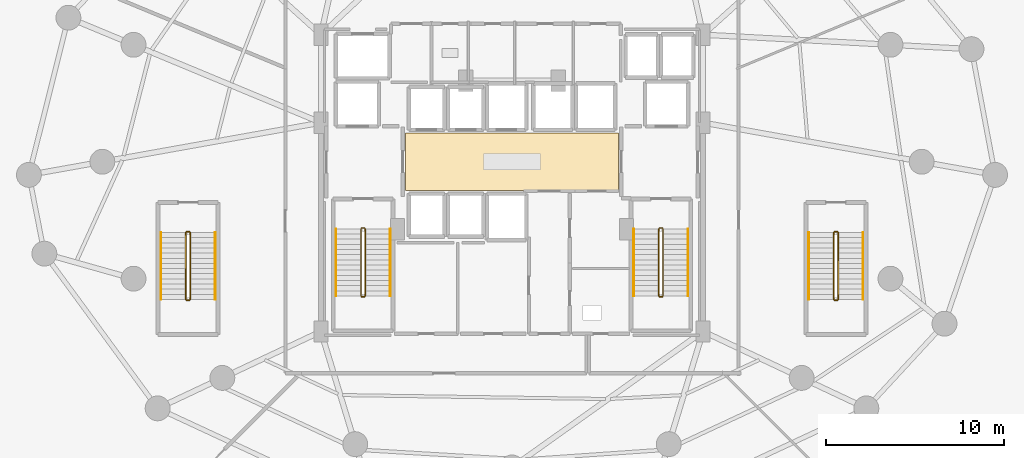
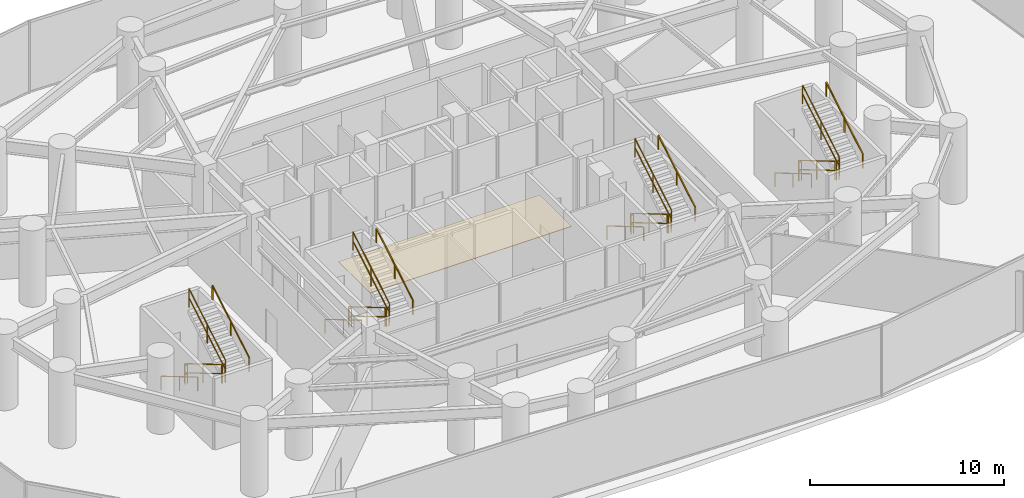
# One storey, part 25 of 26: 24 railings, 1 covering.
"""IFC4 building model written with IfcOpenShell, lengths in metres."""

from ifc_helpers import new_model, si_unit, direction, frame, origin, origin_2d, place, context, subcontext, project, spatial, polyline, rectangle, outline, extrude, material, layer, layer_set, type_object, element, save


model = new_model("IFC4")

# Units and contexts
model_context = context("Model", 3, precision=1e-05, world=origin(), true_north=direction((0.0, 1.0)))
body_context = subcontext(model_context, "Body", "Model", "MODEL_VIEW")
ifc_project = project(units=[si_unit("LENGTHUNIT", "METRE"), si_unit("AREAUNIT", "SQUARE_METRE"), si_unit("VOLUMEUNIT", "CUBIC_METRE"), si_unit("PLANEANGLEUNIT", "RADIAN"), si_unit("MASSUNIT", "GRAM", prefix="KILO")], contexts=[model_context])

# Site, building, storey
site_placement = place(None, origin())
site = spatial("IfcSite", under=ifc_project, at=site_placement, CompositionType="ELEMENT")
building_placement = place(site_placement, origin())
building = spatial("IfcBuilding", under=site, at=building_placement, Name="Vorneva Point Tower", CompositionType="ELEMENT")
storey_placement = place(building_placement, frame((0.0, 0.0, 14.39990234375)))
storey = spatial("IfcBuildingStorey", under=building, at=storey_placement, Name="L03", CompositionType="ELEMENT", Elevation=14.39990234375)

# Covering
ifc_material_1 = material(Name="Polished Ural granite terrazzo", Category="masonry")
ifc_layer = layer(ifc_material_1, 0.02490234375)
ifc_layer_set = layer_set([ifc_layer], Name="Polished Ural granite terrazzo")
covering_type = type_object("IfcCoveringType", Name="COV-FLR-TRZ", PredefinedType="FLOORING", material=ifc_layer_set)
covering_placement = place(storey_placement, frame((0.0, 0.0, -0.0048828125)))
element("IfcCovering", 1, at=covering_placement, inside=storey, type_object=covering_type, Name="L03 Lift Lobby Floor Finish", PredefinedType="FLOORING", context=body_context, shape_type="SweptSolid", body=[
    extrude(outline(polyline([(32.02001953125, 24.3701171875), (43.97998046875, 24.3701171875), (43.97998046875, 27.6298828125), (32.02001953125, 27.6298828125), (32.02001953125, 24.3701171875)])), origin(), (0.0, 0.0, 1.0), 0.030029296875),
])

# Railings
ifc_material_2 = material(Name="Brushed stainless steel S304", Category="steel")
railing_type_1 = type_object("IfcRailingType", Name="RL-HND-920", PredefinedType="HANDRAIL", material=ifc_material_2)
railing_1_placement = place(storey_placement, frame((28.10009765625, 22.219970703125, 0.171630859375)))
element("IfcRailing", 2, at=railing_1_placement, inside=storey, type_object=railing_type_1, Name="L03 ST1 stair handrail 1", PredefinedType="HANDRAIL", context=body_context, shape_type="SweptSolid", body=[
    extrude(rectangle(XDim=0.048095703125, YDim=0.048095703125, at=origin_2d()), frame((0.0, 0.0, 0.8759765625), z_axis=(0.0, -0.860848830602, 0.508860777473), x_axis=(1.0, 0.0, 0.0)), (0.0, 0.0, 1.0), 4.37939453125),
    extrude(rectangle(XDim=0.0419921875, YDim=0.0419921875, at=origin_2d()), origin(), (0.0, 0.0, 1.0), 0.851806640625),
    extrude(rectangle(XDim=0.0419921875, YDim=0.0419921875, at=origin_2d()), frame((0.0, -1.885009765625, 1.1142578125)), (0.0, 0.0, 1.0), 0.851806640625),
    extrude(rectangle(XDim=0.0419921875, YDim=0.0419921875, at=origin_2d()), frame((0.0, -3.77001953125, 2.228515625)), (0.0, 0.0, 1.0), 0.851806640625),
])
railing_2_placement = place(storey_placement, frame((31.14990234375, 18.449951171875, 2.571533203125)))
element("IfcRailing", 3, at=railing_2_placement, inside=storey, type_object=railing_type_1, Name="L03 ST1 stair handrail 2", PredefinedType="HANDRAIL", context=body_context, shape_type="SweptSolid", body=[
    extrude(rectangle(XDim=0.048095703125, YDim=0.048095703125, at=origin_2d()), frame((0.0, 0.0, 0.8759765625), z_axis=(0.0, 0.860848830602, 0.508860777473), x_axis=(-1.0, 0.0, 0.0)), (0.0, 0.0, 1.0), 4.37939453125),
    extrude(rectangle(XDim=0.0419921875, YDim=0.0419921875, at=origin_2d()), origin(), (0.0, 0.0, 1.0), 0.851806640625),
    extrude(rectangle(XDim=0.0419921875, YDim=0.0419921875, at=origin_2d()), frame((0.0, 1.885009765625, 1.1142578125)), (0.0, 0.0, 1.0), 0.851806640625),
    extrude(rectangle(XDim=0.0419921875, YDim=0.0419921875, at=origin_2d()), frame((0.0, 3.77001953125, 2.228515625)), (0.0, 0.0, 1.0), 0.851806640625),
])
railing_3_placement = place(storey_placement, frame((44.85009765625, 22.219970703125, 0.171630859375)))
element("IfcRailing", 4, at=railing_3_placement, inside=storey, type_object=railing_type_1, Name="L03 ST2 stair handrail 1", PredefinedType="HANDRAIL", context=body_context, shape_type="SweptSolid", body=[
    extrude(rectangle(XDim=0.048095703125, YDim=0.048095703125, at=origin_2d()), frame((0.0, 0.0, 0.8759765625), z_axis=(0.0, -0.860848830602, 0.508860777473), x_axis=(1.0, 0.0, 0.0)), (0.0, 0.0, 1.0), 4.37939453125),
    extrude(rectangle(XDim=0.0419921875, YDim=0.0419921875, at=origin_2d()), origin(), (0.0, 0.0, 1.0), 0.851806640625),
    extrude(rectangle(XDim=0.0419921875, YDim=0.0419921875, at=origin_2d()), frame((0.0, -1.885009765625, 1.1142578125)), (0.0, 0.0, 1.0), 0.851806640625),
    extrude(rectangle(XDim=0.0419921875, YDim=0.0419921875, at=origin_2d()), frame((0.0, -3.77001953125, 2.228515625)), (0.0, 0.0, 1.0), 0.851806640625),
])
railing_4_placement = place(storey_placement, frame((47.89990234375, 18.449951171875, 2.571533203125)))
element("IfcRailing", 5, at=railing_4_placement, inside=storey, type_object=railing_type_1, Name="L03 ST2 stair handrail 2", PredefinedType="HANDRAIL", context=body_context, shape_type="SweptSolid", body=[
    extrude(rectangle(XDim=0.048095703125, YDim=0.048095703125, at=origin_2d()), frame((0.0, 0.0, 0.8759765625), z_axis=(0.0, 0.860848830602, 0.508860777473), x_axis=(-1.0, 0.0, 0.0)), (0.0, 0.0, 1.0), 4.37939453125),
    extrude(rectangle(XDim=0.0419921875, YDim=0.0419921875, at=origin_2d()), origin(), (0.0, 0.0, 1.0), 0.851806640625),
    extrude(rectangle(XDim=0.0419921875, YDim=0.0419921875, at=origin_2d()), frame((0.0, 1.885009765625, 1.1142578125)), (0.0, 0.0, 1.0), 0.851806640625),
    extrude(rectangle(XDim=0.0419921875, YDim=0.0419921875, at=origin_2d()), frame((0.0, 3.77001953125, 2.228515625)), (0.0, 0.0, 1.0), 0.851806640625),
])
railing_5_placement = place(storey_placement, frame((18.25, 22.02001953125, 0.171630859375)))
element("IfcRailing", 6, at=railing_5_placement, inside=storey, type_object=railing_type_1, Name="L03 ST3 stair handrail 1", PredefinedType="HANDRAIL", context=body_context, shape_type="SweptSolid", body=[
    extrude(rectangle(XDim=0.048095703125, YDim=0.048095703125, at=origin_2d()), frame((0.0, 0.0, 0.8759765625), z_axis=(0.0, -0.860848830602, 0.508860777473), x_axis=(1.0, 0.0, 0.0)), (0.0, 0.0, 1.0), 4.37939453125),
    extrude(rectangle(XDim=0.0419921875, YDim=0.0419921875, at=origin_2d()), origin(), (0.0, 0.0, 1.0), 0.851806640625),
    extrude(rectangle(XDim=0.0419921875, YDim=0.0419921875, at=origin_2d()), frame((0.0, -1.885009765625, 1.1142578125)), (0.0, 0.0, 1.0), 0.851806640625),
    extrude(rectangle(XDim=0.0419921875, YDim=0.0419921875, at=origin_2d()), frame((0.0, -3.77001953125, 2.228515625)), (0.0, 0.0, 1.0), 0.851806640625),
])
railing_6_placement = place(storey_placement, frame((21.300048828125, 18.25, 2.571533203125)))
element("IfcRailing", 7, at=railing_6_placement, inside=storey, type_object=railing_type_1, Name="L03 ST3 stair handrail 2", PredefinedType="HANDRAIL", context=body_context, shape_type="SweptSolid", body=[
    extrude(rectangle(XDim=0.048095703125, YDim=0.048095703125, at=origin_2d()), frame((0.0, 0.0, 0.8759765625), z_axis=(0.0, 0.860848830602, 0.508860777473), x_axis=(-1.0, 0.0, 0.0)), (0.0, 0.0, 1.0), 4.37939453125),
    extrude(rectangle(XDim=0.0419921875, YDim=0.0419921875, at=origin_2d()), origin(), (0.0, 0.0, 1.0), 0.851806640625),
    extrude(rectangle(XDim=0.0419921875, YDim=0.0419921875, at=origin_2d()), frame((0.0, 1.885009765625, 1.1142578125)), (0.0, 0.0, 1.0), 0.851806640625),
    extrude(rectangle(XDim=0.0419921875, YDim=0.0419921875, at=origin_2d()), frame((0.0, 3.77001953125, 2.228515625)), (0.0, 0.0, 1.0), 0.851806640625),
])
railing_7_placement = place(storey_placement, frame((54.699951171875, 22.02001953125, 0.171630859375)))
element("IfcRailing", 8, at=railing_7_placement, inside=storey, type_object=railing_type_1, Name="L03 ST4 stair handrail 1", PredefinedType="HANDRAIL", context=body_context, shape_type="SweptSolid", body=[
    extrude(rectangle(XDim=0.048095703125, YDim=0.048095703125, at=origin_2d()), frame((0.0, 0.0, 0.8759765625), z_axis=(0.0, -0.860848830602, 0.508860777473), x_axis=(1.0, 0.0, 0.0)), (0.0, 0.0, 1.0), 4.37939453125),
    extrude(rectangle(XDim=0.0419921875, YDim=0.0419921875, at=origin_2d()), origin(), (0.0, 0.0, 1.0), 0.851806640625),
    extrude(rectangle(XDim=0.0419921875, YDim=0.0419921875, at=origin_2d()), frame((0.0, -1.885009765625, 1.1142578125)), (0.0, 0.0, 1.0), 0.851806640625),
    extrude(rectangle(XDim=0.0419921875, YDim=0.0419921875, at=origin_2d()), frame((0.0, -3.77001953125, 2.228515625)), (0.0, 0.0, 1.0), 0.851806640625),
])
railing_8_placement = place(storey_placement, frame((57.75, 18.25, 2.571533203125)))
element("IfcRailing", 9, at=railing_8_placement, inside=storey, type_object=railing_type_1, Name="L03 ST4 stair handrail 2", PredefinedType="HANDRAIL", context=body_context, shape_type="SweptSolid", body=[
    extrude(rectangle(XDim=0.048095703125, YDim=0.048095703125, at=origin_2d()), frame((0.0, 0.0, 0.8759765625), z_axis=(0.0, 0.860848830602, 0.508860777473), x_axis=(-1.0, 0.0, 0.0)), (0.0, 0.0, 1.0), 4.37939453125),
    extrude(rectangle(XDim=0.0419921875, YDim=0.0419921875, at=origin_2d()), origin(), (0.0, 0.0, 1.0), 0.851806640625),
    extrude(rectangle(XDim=0.0419921875, YDim=0.0419921875, at=origin_2d()), frame((0.0, 1.885009765625, 1.1142578125)), (0.0, 0.0, 1.0), 0.851806640625),
    extrude(rectangle(XDim=0.0419921875, YDim=0.0419921875, at=origin_2d()), frame((0.0, 3.77001953125, 2.228515625)), (0.0, 0.0, 1.0), 0.851806640625),
])
railing_type_2 = type_object("IfcRailingType", Name="RL-STG-1100", PredefinedType="GUARDRAIL", material=ifc_material_2)
railing_9_placement = place(storey_placement, frame((29.5, 22.219970703125, 0.171630859375)))
element("IfcRailing", 10, at=railing_9_placement, inside=storey, type_object=railing_type_2, Name="L03 ST1 stair guard 1", PredefinedType="GUARDRAIL", context=body_context, shape_type="SweptSolid", body=[
    extrude(rectangle(XDim=0.048095703125, YDim=0.048095703125, at=origin_2d()), frame((0.0, 0.0, 1.17578125), z_axis=(0.0, -0.860848830602, 0.508860777473), x_axis=(1.0, 0.0, 0.0)), (0.0, 0.0, 1.0), 4.37939453125),
    extrude(rectangle(XDim=0.048095703125, YDim=0.048095703125, at=origin_2d()), frame((0.0, 0.0, 0.60009765625), z_axis=(0.0, -0.860848830602, 0.508860777473), x_axis=(1.0, 0.0, 0.0)), (0.0, 0.0, 1.0), 4.37939453125),
    extrude(rectangle(XDim=0.0419921875, YDim=0.0419921875, at=origin_2d()), origin(), (0.0, 0.0, 1.0), 1.15185546875),
    extrude(rectangle(XDim=0.0419921875, YDim=0.0419921875, at=origin_2d()), frame((0.0, -1.885009765625, 1.1142578125)), (0.0, 0.0, 1.0), 1.15185546875),
    extrude(rectangle(XDim=0.0419921875, YDim=0.0419921875, at=origin_2d()), frame((0.0, -3.77001953125, 2.228515625)), (0.0, 0.0, 1.0), 1.15185546875),
])
railing_10_placement = place(storey_placement, frame((29.550048828125, 18.39990234375, 2.400146484375)))
element("IfcRailing", 11, at=railing_10_placement, inside=storey, type_object=railing_type_2, Name="L03 ST1 stair guard 2", PredefinedType="GUARDRAIL", context=body_context, shape_type="SweptSolid", body=[
    extrude(rectangle(XDim=0.048095703125, YDim=0.048095703125, at=origin_2d()), frame((0.0, 0.0, 1.17578125), z_axis=(1.0, 0.0, 0.0), x_axis=(0.0, 1.0, 0.0)), (0.0, 0.0, 1.0), 0.14990234375),
    extrude(rectangle(XDim=0.048095703125, YDim=0.048095703125, at=origin_2d()), frame((0.0, 0.0, 0.60009765625), z_axis=(1.0, 0.0, 0.0), x_axis=(0.0, 1.0, 0.0)), (0.0, 0.0, 1.0), 0.14990234375),
    extrude(rectangle(XDim=0.0419921875, YDim=0.0419921875, at=origin_2d()), origin(), (0.0, 0.0, 1.0), 1.15185546875),
    extrude(rectangle(XDim=0.0419921875, YDim=0.0419921875, at=origin_2d()), frame((0.14990234375, 0.0, 0.0)), (0.0, 0.0, 1.0), 1.15185546875),
])
railing_11_placement = place(storey_placement, frame((29.75, 18.449951171875, 2.571533203125)))
element("IfcRailing", 12, at=railing_11_placement, inside=storey, type_object=railing_type_2, Name="L03 ST1 stair guard 3", PredefinedType="GUARDRAIL", context=body_context, shape_type="SweptSolid", body=[
    extrude(rectangle(XDim=0.048095703125, YDim=0.048095703125, at=origin_2d()), frame((0.0, 0.0, 1.17578125), z_axis=(0.0, 0.860848830602, 0.508860777473), x_axis=(-1.0, 0.0, 0.0)), (0.0, 0.0, 1.0), 4.37939453125),
    extrude(rectangle(XDim=0.048095703125, YDim=0.048095703125, at=origin_2d()), frame((0.0, 0.0, 0.60009765625), z_axis=(0.0, 0.860848830602, 0.508860777473), x_axis=(-1.0, 0.0, 0.0)), (0.0, 0.0, 1.0), 4.37939453125),
    extrude(rectangle(XDim=0.0419921875, YDim=0.0419921875, at=origin_2d()), origin(), (0.0, 0.0, 1.0), 1.15185546875),
    extrude(rectangle(XDim=0.0419921875, YDim=0.0419921875, at=origin_2d()), frame((0.0, 1.885009765625, 1.1142578125)), (0.0, 0.0, 1.0), 1.15185546875),
    extrude(rectangle(XDim=0.0419921875, YDim=0.0419921875, at=origin_2d()), frame((0.0, 3.77001953125, 2.228515625)), (0.0, 0.0, 1.0), 1.15185546875),
])
railing_12_placement = place(storey_placement, frame((29.550048828125, 22.27001953125, 0.0)))
element("IfcRailing", 13, at=railing_12_placement, inside=storey, type_object=railing_type_2, Name="L03 ST1 stair guard 4", PredefinedType="GUARDRAIL", context=body_context, shape_type="SweptSolid", body=[
    extrude(rectangle(XDim=0.048095703125, YDim=0.048095703125, at=origin_2d()), frame((0.0, 0.0, 1.17578125), z_axis=(1.0, 0.0, 0.0), x_axis=(0.0, 1.0, 0.0)), (0.0, 0.0, 1.0), 0.14990234375),
    extrude(rectangle(XDim=0.048095703125, YDim=0.048095703125, at=origin_2d()), frame((0.0, 0.0, 0.60009765625), z_axis=(1.0, 0.0, 0.0), x_axis=(0.0, 1.0, 0.0)), (0.0, 0.0, 1.0), 0.14990234375),
    extrude(rectangle(XDim=0.0419921875, YDim=0.0419921875, at=origin_2d()), origin(), (0.0, 0.0, 1.0), 1.15185546875),
    extrude(rectangle(XDim=0.0419921875, YDim=0.0419921875, at=origin_2d()), frame((0.14990234375, 0.0, 0.0)), (0.0, 0.0, 1.0), 1.15185546875),
])
railing_13_placement = place(storey_placement, frame((46.25, 22.219970703125, 0.171630859375)))
element("IfcRailing", 14, at=railing_13_placement, inside=storey, type_object=railing_type_2, Name="L03 ST2 stair guard 1", PredefinedType="GUARDRAIL", context=body_context, shape_type="SweptSolid", body=[
    extrude(rectangle(XDim=0.048095703125, YDim=0.048095703125, at=origin_2d()), frame((0.0, 0.0, 1.17578125), z_axis=(0.0, -0.860848830602, 0.508860777473), x_axis=(1.0, 0.0, 0.0)), (0.0, 0.0, 1.0), 4.37939453125),
    extrude(rectangle(XDim=0.048095703125, YDim=0.048095703125, at=origin_2d()), frame((0.0, 0.0, 0.60009765625), z_axis=(0.0, -0.860848830602, 0.508860777473), x_axis=(1.0, 0.0, 0.0)), (0.0, 0.0, 1.0), 4.37939453125),
    extrude(rectangle(XDim=0.0419921875, YDim=0.0419921875, at=origin_2d()), origin(), (0.0, 0.0, 1.0), 1.15185546875),
    extrude(rectangle(XDim=0.0419921875, YDim=0.0419921875, at=origin_2d()), frame((0.0, -1.885009765625, 1.1142578125)), (0.0, 0.0, 1.0), 1.15185546875),
    extrude(rectangle(XDim=0.0419921875, YDim=0.0419921875, at=origin_2d()), frame((0.0, -3.77001953125, 2.228515625)), (0.0, 0.0, 1.0), 1.15185546875),
])
railing_14_placement = place(storey_placement, frame((46.300048828125, 18.39990234375, 2.400146484375)))
element("IfcRailing", 15, at=railing_14_placement, inside=storey, type_object=railing_type_2, Name="L03 ST2 stair guard 2", PredefinedType="GUARDRAIL", context=body_context, shape_type="SweptSolid", body=[
    extrude(rectangle(XDim=0.048095703125, YDim=0.048095703125, at=origin_2d()), frame((0.0, 0.0, 1.17578125), z_axis=(1.0, 0.0, 0.0), x_axis=(0.0, 1.0, 0.0)), (0.0, 0.0, 1.0), 0.14990234375),
    extrude(rectangle(XDim=0.048095703125, YDim=0.048095703125, at=origin_2d()), frame((0.0, 0.0, 0.60009765625), z_axis=(1.0, 0.0, 0.0), x_axis=(0.0, 1.0, 0.0)), (0.0, 0.0, 1.0), 0.14990234375),
    extrude(rectangle(XDim=0.0419921875, YDim=0.0419921875, at=origin_2d()), origin(), (0.0, 0.0, 1.0), 1.15185546875),
    extrude(rectangle(XDim=0.0419921875, YDim=0.0419921875, at=origin_2d()), frame((0.14990234375, 0.0, 0.0)), (0.0, 0.0, 1.0), 1.15185546875),
])
railing_15_placement = place(storey_placement, frame((46.5, 18.449951171875, 2.571533203125)))
element("IfcRailing", 16, at=railing_15_placement, inside=storey, type_object=railing_type_2, Name="L03 ST2 stair guard 3", PredefinedType="GUARDRAIL", context=body_context, shape_type="SweptSolid", body=[
    extrude(rectangle(XDim=0.048095703125, YDim=0.048095703125, at=origin_2d()), frame((0.0, 0.0, 1.17578125), z_axis=(0.0, 0.860848830602, 0.508860777473), x_axis=(-1.0, 0.0, 0.0)), (0.0, 0.0, 1.0), 4.37939453125),
    extrude(rectangle(XDim=0.048095703125, YDim=0.048095703125, at=origin_2d()), frame((0.0, 0.0, 0.60009765625), z_axis=(0.0, 0.860848830602, 0.508860777473), x_axis=(-1.0, 0.0, 0.0)), (0.0, 0.0, 1.0), 4.37939453125),
    extrude(rectangle(XDim=0.0419921875, YDim=0.0419921875, at=origin_2d()), origin(), (0.0, 0.0, 1.0), 1.15185546875),
    extrude(rectangle(XDim=0.0419921875, YDim=0.0419921875, at=origin_2d()), frame((0.0, 1.885009765625, 1.1142578125)), (0.0, 0.0, 1.0), 1.15185546875),
    extrude(rectangle(XDim=0.0419921875, YDim=0.0419921875, at=origin_2d()), frame((0.0, 3.77001953125, 2.228515625)), (0.0, 0.0, 1.0), 1.15185546875),
])
railing_16_placement = place(storey_placement, frame((46.300048828125, 22.27001953125, 0.0)))
element("IfcRailing", 17, at=railing_16_placement, inside=storey, type_object=railing_type_2, Name="L03 ST2 stair guard 4", PredefinedType="GUARDRAIL", context=body_context, shape_type="SweptSolid", body=[
    extrude(rectangle(XDim=0.048095703125, YDim=0.048095703125, at=origin_2d()), frame((0.0, 0.0, 1.17578125), z_axis=(1.0, 0.0, 0.0), x_axis=(0.0, 1.0, 0.0)), (0.0, 0.0, 1.0), 0.14990234375),
    extrude(rectangle(XDim=0.048095703125, YDim=0.048095703125, at=origin_2d()), frame((0.0, 0.0, 0.60009765625), z_axis=(1.0, 0.0, 0.0), x_axis=(0.0, 1.0, 0.0)), (0.0, 0.0, 1.0), 0.14990234375),
    extrude(rectangle(XDim=0.0419921875, YDim=0.0419921875, at=origin_2d()), origin(), (0.0, 0.0, 1.0), 1.15185546875),
    extrude(rectangle(XDim=0.0419921875, YDim=0.0419921875, at=origin_2d()), frame((0.14990234375, 0.0, 0.0)), (0.0, 0.0, 1.0), 1.15185546875),
])
railing_17_placement = place(storey_placement, frame((19.64990234375, 22.02001953125, 0.171630859375)))
element("IfcRailing", 18, at=railing_17_placement, inside=storey, type_object=railing_type_2, Name="L03 ST3 stair guard 1", PredefinedType="GUARDRAIL", context=body_context, shape_type="SweptSolid", body=[
    extrude(rectangle(XDim=0.048095703125, YDim=0.048095703125, at=origin_2d()), frame((0.0, 0.0, 1.17578125), z_axis=(0.0, -0.860848830602, 0.508860777473), x_axis=(1.0, 0.0, 0.0)), (0.0, 0.0, 1.0), 4.37939453125),
    extrude(rectangle(XDim=0.048095703125, YDim=0.048095703125, at=origin_2d()), frame((0.0, 0.0, 0.60009765625), z_axis=(0.0, -0.860848830602, 0.508860777473), x_axis=(1.0, 0.0, 0.0)), (0.0, 0.0, 1.0), 4.37939453125),
    extrude(rectangle(XDim=0.0419921875, YDim=0.0419921875, at=origin_2d()), origin(), (0.0, 0.0, 1.0), 1.15185546875),
    extrude(rectangle(XDim=0.0419921875, YDim=0.0419921875, at=origin_2d()), frame((0.0, -1.885009765625, 1.1142578125)), (0.0, 0.0, 1.0), 1.15185546875),
    extrude(rectangle(XDim=0.0419921875, YDim=0.0419921875, at=origin_2d()), frame((0.0, -3.77001953125, 2.228515625)), (0.0, 0.0, 1.0), 1.15185546875),
])
railing_18_placement = place(storey_placement, frame((19.699951171875, 18.199951171875, 2.400146484375)))
element("IfcRailing", 19, at=railing_18_placement, inside=storey, type_object=railing_type_2, Name="L03 ST3 stair guard 2", PredefinedType="GUARDRAIL", context=body_context, shape_type="SweptSolid", body=[
    extrude(rectangle(XDim=0.048095703125, YDim=0.048095703125, at=origin_2d()), frame((0.0, 0.0, 1.17578125), z_axis=(1.0, 0.0, 0.0), x_axis=(0.0, 1.0, 0.0)), (0.0, 0.0, 1.0), 0.150146484375),
    extrude(rectangle(XDim=0.048095703125, YDim=0.048095703125, at=origin_2d()), frame((0.0, 0.0, 0.60009765625), z_axis=(1.0, 0.0, 0.0), x_axis=(0.0, 1.0, 0.0)), (0.0, 0.0, 1.0), 0.150146484375),
    extrude(rectangle(XDim=0.0419921875, YDim=0.0419921875, at=origin_2d()), origin(), (0.0, 0.0, 1.0), 1.15185546875),
    extrude(rectangle(XDim=0.0419921875, YDim=0.0419921875, at=origin_2d()), frame((0.150146484375, 0.0, 0.0)), (0.0, 0.0, 1.0), 1.15185546875),
])
railing_19_placement = place(storey_placement, frame((19.89990234375, 18.25, 2.571533203125)))
element("IfcRailing", 20, at=railing_19_placement, inside=storey, type_object=railing_type_2, Name="L03 ST3 stair guard 3", PredefinedType="GUARDRAIL", context=body_context, shape_type="SweptSolid", body=[
    extrude(rectangle(XDim=0.048095703125, YDim=0.048095703125, at=origin_2d()), frame((0.0, 0.0, 1.17578125), z_axis=(0.0, 0.860848830602, 0.508860777473), x_axis=(-1.0, 0.0, 0.0)), (0.0, 0.0, 1.0), 4.37939453125),
    extrude(rectangle(XDim=0.048095703125, YDim=0.048095703125, at=origin_2d()), frame((0.0, 0.0, 0.60009765625), z_axis=(0.0, 0.860848830602, 0.508860777473), x_axis=(-1.0, 0.0, 0.0)), (0.0, 0.0, 1.0), 4.37939453125),
    extrude(rectangle(XDim=0.0419921875, YDim=0.0419921875, at=origin_2d()), origin(), (0.0, 0.0, 1.0), 1.15185546875),
    extrude(rectangle(XDim=0.0419921875, YDim=0.0419921875, at=origin_2d()), frame((0.0, 1.885009765625, 1.1142578125)), (0.0, 0.0, 1.0), 1.15185546875),
    extrude(rectangle(XDim=0.0419921875, YDim=0.0419921875, at=origin_2d()), frame((0.0, 3.77001953125, 2.228515625)), (0.0, 0.0, 1.0), 1.15185546875),
])
railing_20_placement = place(storey_placement, frame((19.699951171875, 22.070068359375, 0.0)))
element("IfcRailing", 21, at=railing_20_placement, inside=storey, type_object=railing_type_2, Name="L03 ST3 stair guard 4", PredefinedType="GUARDRAIL", context=body_context, shape_type="SweptSolid", body=[
    extrude(rectangle(XDim=0.048095703125, YDim=0.048095703125, at=origin_2d()), frame((0.0, 0.0, 1.17578125), z_axis=(1.0, 0.0, 0.0), x_axis=(0.0, 1.0, 0.0)), (0.0, 0.0, 1.0), 0.150146484375),
    extrude(rectangle(XDim=0.048095703125, YDim=0.048095703125, at=origin_2d()), frame((0.0, 0.0, 0.60009765625), z_axis=(1.0, 0.0, 0.0), x_axis=(0.0, 1.0, 0.0)), (0.0, 0.0, 1.0), 0.150146484375),
    extrude(rectangle(XDim=0.0419921875, YDim=0.0419921875, at=origin_2d()), origin(), (0.0, 0.0, 1.0), 1.15185546875),
    extrude(rectangle(XDim=0.0419921875, YDim=0.0419921875, at=origin_2d()), frame((0.150146484375, 0.0, 0.0)), (0.0, 0.0, 1.0), 1.15185546875),
])
railing_21_placement = place(storey_placement, frame((56.10009765625, 22.02001953125, 0.171630859375)))
element("IfcRailing", 22, at=railing_21_placement, inside=storey, type_object=railing_type_2, Name="L03 ST4 stair guard 1", PredefinedType="GUARDRAIL", context=body_context, shape_type="SweptSolid", body=[
    extrude(rectangle(XDim=0.048095703125, YDim=0.048095703125, at=origin_2d()), frame((0.0, 0.0, 1.17578125), z_axis=(0.0, -0.860848830602, 0.508860777473), x_axis=(1.0, 0.0, 0.0)), (0.0, 0.0, 1.0), 4.37939453125),
    extrude(rectangle(XDim=0.048095703125, YDim=0.048095703125, at=origin_2d()), frame((0.0, 0.0, 0.60009765625), z_axis=(0.0, -0.860848830602, 0.508860777473), x_axis=(1.0, 0.0, 0.0)), (0.0, 0.0, 1.0), 4.37939453125),
    extrude(rectangle(XDim=0.0419921875, YDim=0.0419921875, at=origin_2d()), origin(), (0.0, 0.0, 1.0), 1.15185546875),
    extrude(rectangle(XDim=0.0419921875, YDim=0.0419921875, at=origin_2d()), frame((0.0, -1.885009765625, 1.1142578125)), (0.0, 0.0, 1.0), 1.15185546875),
    extrude(rectangle(XDim=0.0419921875, YDim=0.0419921875, at=origin_2d()), frame((0.0, -3.77001953125, 2.228515625)), (0.0, 0.0, 1.0), 1.15185546875),
])
railing_22_placement = place(storey_placement, frame((56.14990234375, 18.199951171875, 2.400146484375)))
element("IfcRailing", 23, at=railing_22_placement, inside=storey, type_object=railing_type_2, Name="L03 ST4 stair guard 2", PredefinedType="GUARDRAIL", context=body_context, shape_type="SweptSolid", body=[
    extrude(rectangle(XDim=0.048095703125, YDim=0.048095703125, at=origin_2d()), frame((0.0, 0.0, 1.17578125), z_axis=(1.0, 0.0, 0.0), x_axis=(0.0, 1.0, 0.0)), (0.0, 0.0, 1.0), 0.150146484375),
    extrude(rectangle(XDim=0.048095703125, YDim=0.048095703125, at=origin_2d()), frame((0.0, 0.0, 0.60009765625), z_axis=(1.0, 0.0, 0.0), x_axis=(0.0, 1.0, 0.0)), (0.0, 0.0, 1.0), 0.150146484375),
    extrude(rectangle(XDim=0.0419921875, YDim=0.0419921875, at=origin_2d()), origin(), (0.0, 0.0, 1.0), 1.15185546875),
    extrude(rectangle(XDim=0.0419921875, YDim=0.0419921875, at=origin_2d()), frame((0.150146484375, 0.0, 0.0)), (0.0, 0.0, 1.0), 1.15185546875),
])
railing_23_placement = place(storey_placement, frame((56.35009765625, 18.25, 2.571533203125)))
element("IfcRailing", 24, at=railing_23_placement, inside=storey, type_object=railing_type_2, Name="L03 ST4 stair guard 3", PredefinedType="GUARDRAIL", context=body_context, shape_type="SweptSolid", body=[
    extrude(rectangle(XDim=0.048095703125, YDim=0.048095703125, at=origin_2d()), frame((0.0, 0.0, 1.17578125), z_axis=(0.0, 0.860848830602, 0.508860777473), x_axis=(-1.0, 0.0, 0.0)), (0.0, 0.0, 1.0), 4.37939453125),
    extrude(rectangle(XDim=0.048095703125, YDim=0.048095703125, at=origin_2d()), frame((0.0, 0.0, 0.60009765625), z_axis=(0.0, 0.860848830602, 0.508860777473), x_axis=(-1.0, 0.0, 0.0)), (0.0, 0.0, 1.0), 4.37939453125),
    extrude(rectangle(XDim=0.0419921875, YDim=0.0419921875, at=origin_2d()), origin(), (0.0, 0.0, 1.0), 1.15185546875),
    extrude(rectangle(XDim=0.0419921875, YDim=0.0419921875, at=origin_2d()), frame((0.0, 1.885009765625, 1.1142578125)), (0.0, 0.0, 1.0), 1.15185546875),
    extrude(rectangle(XDim=0.0419921875, YDim=0.0419921875, at=origin_2d()), frame((0.0, 3.77001953125, 2.228515625)), (0.0, 0.0, 1.0), 1.15185546875),
])
railing_24_placement = place(storey_placement, frame((56.14990234375, 22.070068359375, 0.0)))
element("IfcRailing", 25, at=railing_24_placement, inside=storey, type_object=railing_type_2, Name="L03 ST4 stair guard 4", PredefinedType="GUARDRAIL", context=body_context, shape_type="SweptSolid", body=[
    extrude(rectangle(XDim=0.048095703125, YDim=0.048095703125, at=origin_2d()), frame((0.0, 0.0, 1.17578125), z_axis=(1.0, 0.0, 0.0), x_axis=(0.0, 1.0, 0.0)), (0.0, 0.0, 1.0), 0.150146484375),
    extrude(rectangle(XDim=0.048095703125, YDim=0.048095703125, at=origin_2d()), frame((0.0, 0.0, 0.60009765625), z_axis=(1.0, 0.0, 0.0), x_axis=(0.0, 1.0, 0.0)), (0.0, 0.0, 1.0), 0.150146484375),
    extrude(rectangle(XDim=0.0419921875, YDim=0.0419921875, at=origin_2d()), origin(), (0.0, 0.0, 1.0), 1.15185546875),
    extrude(rectangle(XDim=0.0419921875, YDim=0.0419921875, at=origin_2d()), frame((0.150146484375, 0.0, 0.0)), (0.0, 0.0, 1.0), 1.15185546875),
])

save(model, "model.ifc")
